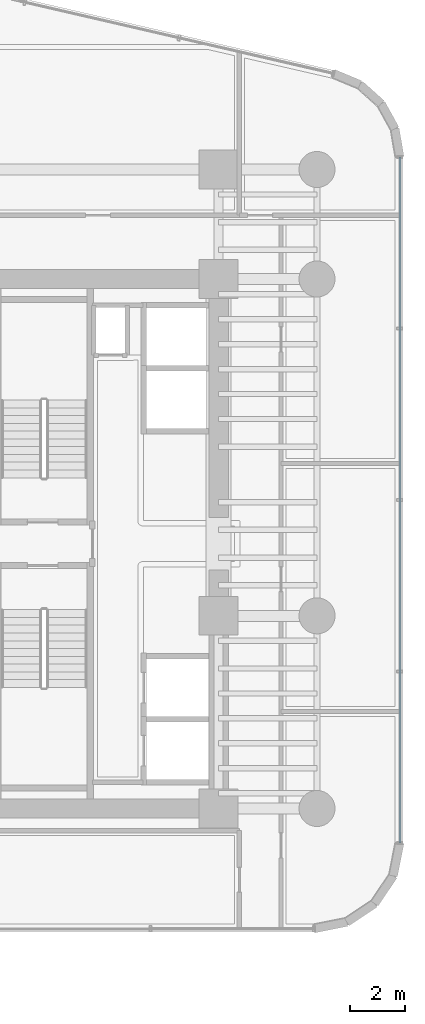
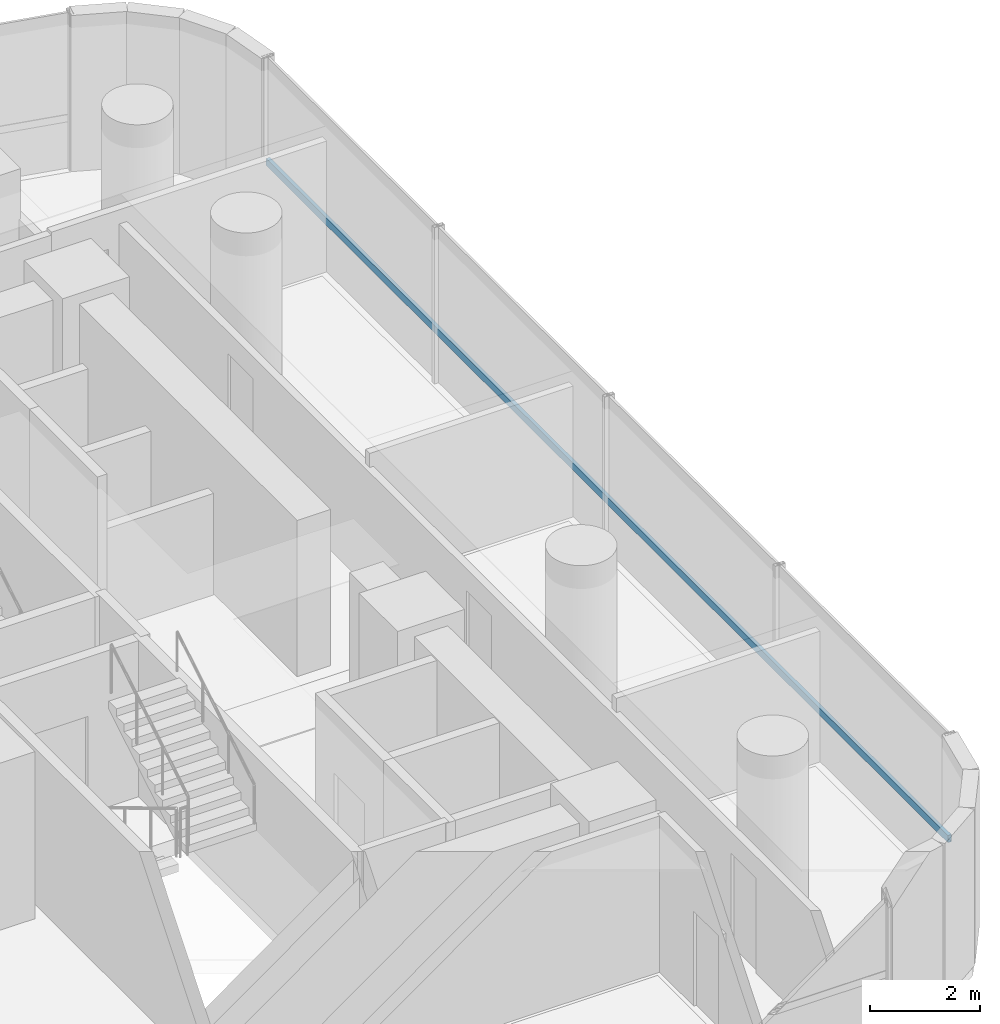
# One storey, part 25 of 38: 1 member, 1 element without a shape of its own.
"""IFC4 building model written with IfcOpenShell, lengths in metres."""

import ifcopenshell
import ifcopenshell.guid

model = None  # the IFC model being written
_history = None  # IfcOwnerHistory: only IFC2X3 demands one
_inside = {}  # id of a spatial element -> (the spatial element, [elements in it])
_under = {}  # id of a project, library or spatial element -> (it, [spatial elements below it])
_declared = {}  # id of a project -> (the project, [libraries it declares])
_typed = {}  # id of a type object -> (the type object, [elements of that type])
_made_of = {}  # id of a material, layer set ... -> (it, [elements and type objects made of it])


def new_model(schema):
    """Start an empty IFC model of exactly this schema.

    Asked for "IFC4X3", IfcOpenShell would pick the latest addendum, in which some entities
    have other attributes; the version numbers below select the first issue.
    IFC2X3 requires an IfcOwnerHistory on every rooted entity: one is made here for all.
    """
    global model, _history
    if schema == "IFC4X3":
        model = ifcopenshell.file(schema_version=(4, 3, 0, 0))
    else:
        model = ifcopenshell.file(schema=schema)
    _inside.clear()
    _under.clear()
    _declared.clear()
    _typed.clear()
    _made_of.clear()
    _history = None
    if model.schema == "IFC2X3":
        org = make("IfcOrganization", Name="unknown")
        user = make(
            "IfcPersonAndOrganization",
            ThePerson=make("IfcPerson", FamilyName="unknown"),
            TheOrganization=org,
        )
        app = make(
            "IfcApplication",
            ApplicationDeveloper=org,
            Version="unknown",
            ApplicationFullName="unknown",
            ApplicationIdentifier="unknown",
        )
        _history = make(
            "IfcOwnerHistory",
            OwningUser=user,
            OwningApplication=app,
            ChangeAction="ADDED",
            CreationDate=0,
        )
    return model


def make(cls, **values):
    """One entity of the class cls with the attributes given. An attribute that is None is left unset."""
    return model.create_entity(
        cls, **{name: value for name, value in values.items() if value is not None}
    )


def rooted(cls, **values):
    """An entity with a GlobalId (a new one), such as an element, a storey or a relation."""
    return make(cls, GlobalId=ifcopenshell.guid.new(), OwnerHistory=_history, **values)


def si_unit(unit_type, name, prefix=None):
    """IfcSIUnit, for example si_unit("LENGTHUNIT", "METRE", prefix="MILLI")."""
    return make("IfcSIUnit", UnitType=unit_type, Prefix=prefix, Name=name)


def assignment(units):
    """IfcUnitAssignment: the units of a project."""
    return None if units is None else make("IfcUnitAssignment", Units=units)


def point(xyz):
    """IfcCartesianPoint."""
    return None if xyz is None else make("IfcCartesianPoint", Coordinates=xyz)


def direction(xyz):
    """IfcDirection."""
    return None if xyz is None else make("IfcDirection", DirectionRatios=xyz)


def frame(location, z_axis=None, x_axis=None):
    """IfcAxis2Placement3D, a coordinate frame: its origin and axes. An axis left out is left unset."""
    return make(
        "IfcAxis2Placement3D",
        Location=point(location),
        Axis=direction(z_axis),
        RefDirection=direction(x_axis),
    )


def frame_2d(location, x_axis=None):
    """IfcAxis2Placement2D, a coordinate frame in the plane: its origin and x axis."""
    return make(
        "IfcAxis2Placement2D", Location=point(location), RefDirection=direction(x_axis)
    )


def origin():
    """The frame at (0, 0, 0) with its axes left unset."""
    return frame((0.0, 0.0, 0.0))


def origin_2d():
    """The frame at (0, 0) in the plane with its x axis left unset."""
    return frame_2d((0.0, 0.0))


def place(relative_to, where):
    """IfcLocalPlacement: puts the frame where relative to a parent placement (None: the world)."""
    return make(
        "IfcLocalPlacement", PlacementRelTo=relative_to, RelativePlacement=where
    )


def context(
    kind, dimensions, precision=None, world=None, true_north=None, identifier=None
):
    """IfcGeometricRepresentationContext, for example the 3D "Model" context."""
    return make(
        "IfcGeometricRepresentationContext",
        ContextIdentifier=identifier,
        ContextType=kind,
        CoordinateSpaceDimension=dimensions,
        Precision=precision,
        WorldCoordinateSystem=world,
        TrueNorth=true_north,
    )


def subcontext(parent, identifier, kind, view, scale=None):
    """IfcGeometricRepresentationSubContext, for example "Body" below "Model"."""
    return make(
        "IfcGeometricRepresentationSubContext",
        ContextIdentifier=identifier,
        ContextType=kind,
        ParentContext=parent,
        TargetScale=scale,
        TargetView=view,
    )


def project(units=None, contexts=None):
    """IfcProject with its units and contexts."""
    return rooted(
        "IfcProject",
        Name="project",
        RepresentationContexts=contexts,
        UnitsInContext=assignment(units),
    )


def spatial(cls, under=None, at=None, **own):
    """A site, building, storey or space (cls), placed at a placement, below another one or the project."""
    s = rooted(cls, ObjectPlacement=at, **own)
    if under is not None:
        _under.setdefault(under.id(), (under, []))[1].append(s)
    return s


def profile(cls, at=None, kind="AREA", **sizes):
    """A parametric profile (cls). Its sizes go by their IFC names, for example OverallWidth=200.0."""
    return make(cls, ProfileType=kind, Position=at, **sizes)


def hollow_rectangle(**sizes):
    """IfcRectangleHollowProfileDef."""
    return profile("IfcRectangleHollowProfileDef", **sizes)


def extrude(swept, where, along, depth):
    """IfcExtrudedAreaSolid: the profile swept, set in the frame where, extruded along a direction by depth."""
    return make(
        "IfcExtrudedAreaSolid",
        SweptArea=swept,
        Position=where,
        ExtrudedDirection=direction(along),
        Depth=depth,
    )


def shape(context_of_items, identifier, shape_type, items):
    """IfcShapeRepresentation: the items that make up one representation, for example the "Body"."""
    return make(
        "IfcShapeRepresentation",
        ContextOfItems=context_of_items,
        RepresentationIdentifier=identifier,
        RepresentationType=shape_type,
        Items=items,
    )


def source(mapping_origin, context_of_items, identifier, shape_type, items):
    """IfcRepresentationMap: a shape defined once, which mapped items show again and again."""
    return make(
        "IfcRepresentationMap",
        MappingOrigin=mapping_origin,
        MappedRepresentation=shape(context_of_items, identifier, shape_type, items),
    )


def transform(
    local_origin,
    x_axis=None,
    y_axis=None,
    z_axis=None,
    scale=None,
    scale2=None,
    scale3=None,
    uniform=True,
):
    """IfcCartesianTransformationOperator3D, or its non-uniform kind. x_axis, y_axis, z_axis: its Axis1, 2, 3."""
    if uniform:
        return make(
            "IfcCartesianTransformationOperator3D",
            Axis1=direction(x_axis),
            Axis2=direction(y_axis),
            LocalOrigin=point(local_origin),
            Scale=scale,
            Axis3=direction(z_axis),
        )
    return make(
        "IfcCartesianTransformationOperator3DnonUniform",
        Axis1=direction(x_axis),
        Axis2=direction(y_axis),
        LocalOrigin=point(local_origin),
        Scale=scale,
        Axis3=direction(z_axis),
        Scale2=scale2,
        Scale3=scale3,
    )


def mapped(mapping_source, mapping_target):
    """IfcMappedItem: shows the shape of a source again, moved by a transform."""
    return make(
        "IfcMappedItem", MappingSource=mapping_source, MappingTarget=mapping_target
    )


def material(Name=None, Category=None):
    """IfcMaterial."""
    return make("IfcMaterial", Name=Name, Category=Category)


def material_profile(
    of_material, cross_section, Name=None, Category=None, Priority=None
):
    """IfcMaterialProfile: a cross section and its material."""
    return make(
        "IfcMaterialProfile",
        Name=Name,
        Material=of_material,
        Profile=cross_section,
        Priority=Priority,
        Category=Category,
    )


def profile_set(profiles, Name=None, composite=None):
    """IfcMaterialProfileSet."""
    return make(
        "IfcMaterialProfileSet",
        Name=Name,
        MaterialProfiles=profiles,
        CompositeProfile=composite,
    )


def made_of(thing, what):
    """Note that an element or type object is made of a material, layer set ...; save() writes the relation."""
    if what is not None:
        _made_of.setdefault(what.id(), (what, []))[1].append(thing)
    return thing


def type_object(cls, material=None, **own):
    """A type object (cls), such as IfcWallType, which elements share."""
    return made_of(rooted(cls, **own), material)


def element(
    cls,
    number,
    at=None,
    inside=None,
    cuts=None,
    type_object=None,
    material=None,
    context=None,
    identifier="Body",
    shape_type=None,
    held_by="IfcProductDefinitionShape",
    body=None,
    shapes=None,
    **own,
):
    """One element of the class cls, such as IfcWall. Its Tag is "e" and its number.

    at: its placement. inside: the storey or other place that contains it. cuts: it is an
    opening in that element (IfcRelVoidsElement). A single representation is given by context,
    identifier, shape_type and body (its items); several are given by shapes. held_by: the class
    of the entity that holds the representations. save() writes the other relations.
    """
    e = rooted(cls, Tag="e%d" % number, ObjectPlacement=at, **own)
    if body is not None:
        shapes = [shape(context, identifier, shape_type, body)]
    if shapes is not None:
        e.Representation = make(held_by, Representations=shapes)
    if inside is not None:
        _inside.setdefault(inside.id(), (inside, []))[1].append(e)
    if cuts is not None:
        rooted(
            "IfcRelVoidsElement", RelatingBuildingElement=cuts, RelatedOpeningElement=e
        )
    if type_object is not None:
        _typed.setdefault(type_object.id(), (type_object, []))[1].append(e)
    return made_of(e, material)


def aggregate(whole, parts):
    """IfcRelAggregates: a whole, such as a stair, and the parts it consists of."""
    return rooted("IfcRelAggregates", RelatingObject=whole, RelatedObjects=parts)


def save(model, path):
    """Write the relations noted so far, then the file.

    IfcRelAggregates (storeys below a building ...), IfcRelContainedInSpatialStructure (elements
    in a storey), IfcRelDefinesByType, IfcRelAssociatesMaterial and IfcRelDeclares: one each for
    every whole, place, type object, material and project.
    """
    for whole, parts in _under.values():
        aggregate(whole, parts)
    for where, things in _inside.values():
        rooted(
            "IfcRelContainedInSpatialStructure",
            RelatedElements=things,
            RelatingStructure=where,
        )
    for kind, things in _typed.values():
        rooted("IfcRelDefinesByType", RelatedObjects=things, RelatingType=kind)
    for what, things in _made_of.values():
        rooted("IfcRelAssociatesMaterial", RelatedObjects=things, RelatingMaterial=what)
    for by, libraries in _declared.values():
        rooted("IfcRelDeclares", RelatingContext=by, RelatedDefinitions=libraries)
    model.write(path)


model = new_model("IFC4")

# Units and contexts
model_context = context("Model", 3, precision=1e-05, world=origin(), true_north=direction((0.0, 1.0)))
body_context = subcontext(model_context, "Body", "Model", "MODEL_VIEW")
ifc_project = project(units=[si_unit("LENGTHUNIT", "METRE"), si_unit("AREAUNIT", "SQUARE_METRE"), si_unit("VOLUMEUNIT", "CUBIC_METRE"), si_unit("PLANEANGLEUNIT", "RADIAN"), si_unit("MASSUNIT", "GRAM", prefix="KILO")], contexts=[model_context])

# Site, building, storey
site_placement = place(None, origin())
site = spatial("IfcSite", under=ifc_project, at=site_placement, CompositionType="ELEMENT")
building_placement = place(site_placement, origin())
building = spatial("IfcBuilding", under=site, at=building_placement, Name="Valdorenza Pilgrim Sanctuary Tower", CompositionType="ELEMENT")
storey_placement = place(building_placement, frame((0.0, 0.0, 37.10009765625)))
storey = spatial("IfcBuildingStorey", under=building, at=storey_placement, Name="L08", CompositionType="ELEMENT", Elevation=37.10009765625)

# Curtain wall, member
ifc_material_1 = material(Name="Curtain-wall IGU glazing", Category="glass")
curtain_wall_type = type_object("IfcCurtainWallType", Name="CW-SYS-03", PredefinedType="NOTDEFINED", material=ifc_material_1)
curtain_wall_placement = place(storey_placement, origin())
curtain_wall = element("IfcCurtainWall", 1, at=curtain_wall_placement, inside=storey, type_object=curtain_wall_type, Name="L08 Curtain Wall CW-L08-1-21", PredefinedType="NOTDEFINED")
ifc_material_2 = material(Name="Anodised aluminium AW-6060", Category="aluminium")
ifc_material_profile = material_profile(ifc_material_2, hollow_rectangle(XDim=0.074951171875, YDim=0.159912109375, WallThickness=0.00390625, at=origin_2d()), Name="ALU-T 160x75x4")
ifc_profile_set = profile_set([ifc_material_profile], Name="Anodised aluminium AW-6060")
member_type = type_object("IfcMemberType", Name="CW-TRN-03", PredefinedType="USERDEFINED", material=ifc_profile_set)
shared_shape = source(origin(), body_context, "Body", "SweptSolid", [
    extrude(hollow_rectangle(XDim=0.074951171875, YDim=0.159912109375, WallThickness=0.00390625, at=origin_2d()), origin(), (0.0, 0.0, 1.0), 24.734375),
])
member_placement = place(storey_placement, frame((31.389892578125, 13.945068359375, 1.119873046875), z_axis=(0.0, -1.0, 0.0), x_axis=(1.0, 0.0, 0.0)))
member = element("IfcMember", 2, at=member_placement, type_object=member_type, Name="CW-L08-1-21 Transom 1", ObjectType="TRANSOM", PredefinedType="USERDEFINED", context=body_context, shape_type="MappedRepresentation", body=[
    mapped(shared_shape, transform((0.0, 0.0, 0.0), x_axis=(1.0, 0.0, 0.0), y_axis=(0.0, 1.0, 0.0), z_axis=(0.0, 0.0, 1.0), scale=1.0)),
])
aggregate(curtain_wall, [member])

save(model, "model.ifc")
